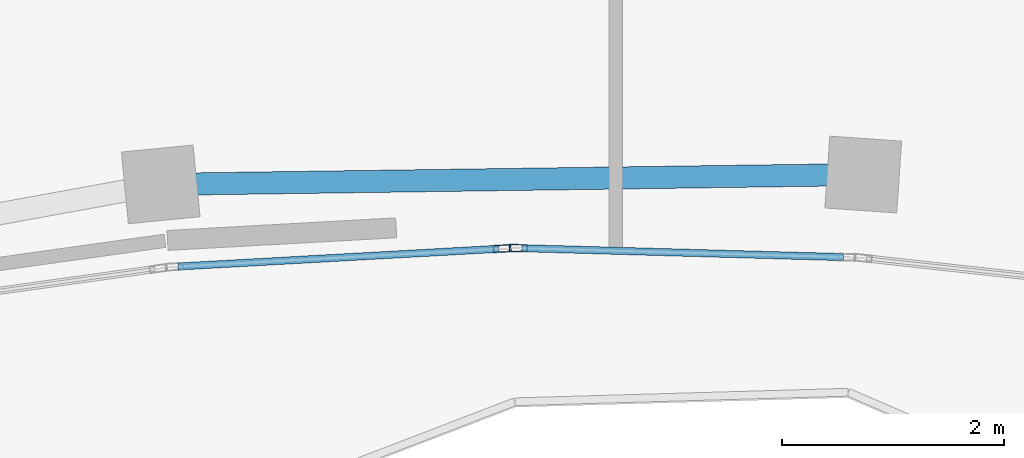
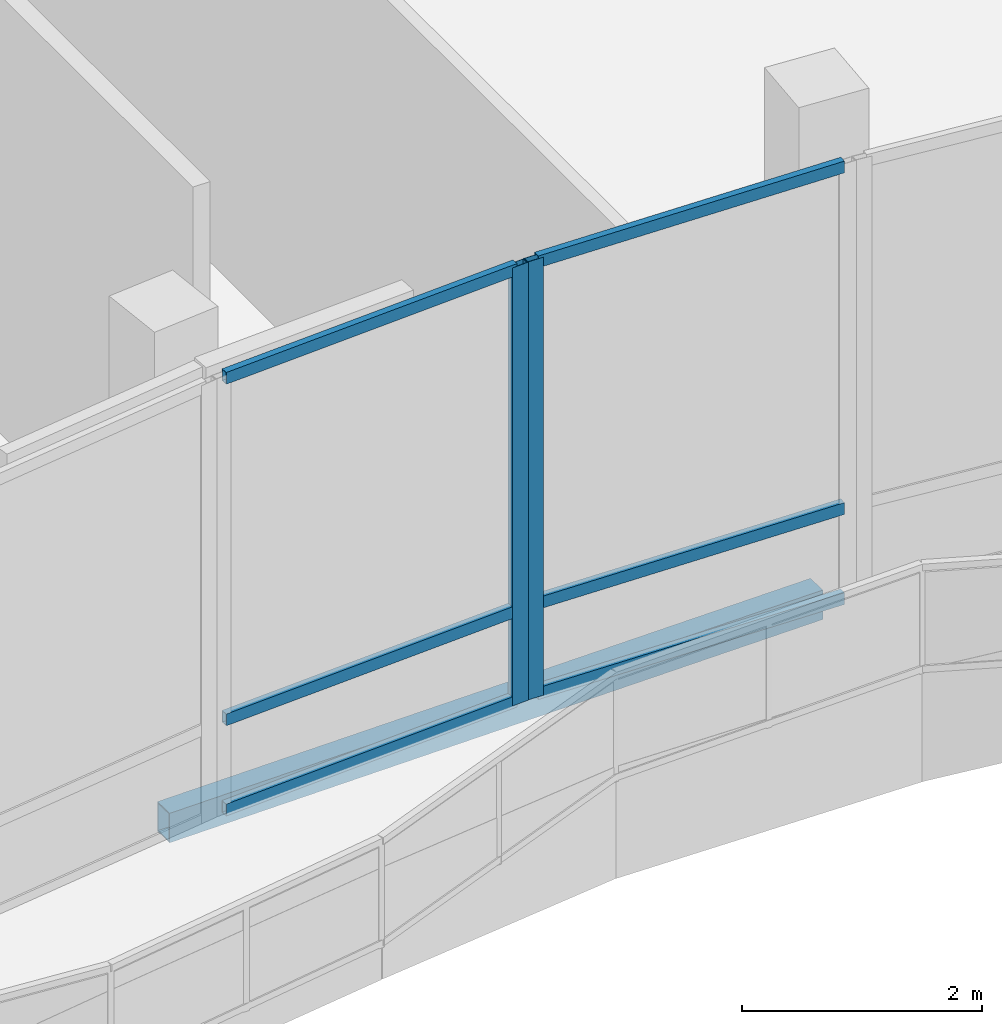
# One storey, part 55 of 155: 8 members, 1 beam, 2 elements without a shape of their own.
"""IFC4 building model written with IfcOpenShell, lengths in metres."""

from ifc_helpers import new_model, si_unit, direction, frame, origin, origin_2d, place, context, subcontext, project, spatial, hollow_rectangle, extrude, material, material_profile, profile_set, type_object, element, aggregate, save


model = new_model("IFC4")

# Units and contexts
model_context = context("Model", 3, precision=1e-05, world=origin(), true_north=direction((0.0, 1.0)))
body_context = subcontext(model_context, "Body", "Model", "MODEL_VIEW")
ifc_project = project(units=[si_unit("LENGTHUNIT", "METRE"), si_unit("AREAUNIT", "SQUARE_METRE"), si_unit("VOLUMEUNIT", "CUBIC_METRE"), si_unit("PLANEANGLEUNIT", "RADIAN"), si_unit("MASSUNIT", "GRAM", prefix="KILO")], contexts=[model_context])

# Site, building, storey
site_placement = place(None, origin())
site = spatial("IfcSite", under=ifc_project, at=site_placement, CompositionType="ELEMENT")
building_placement = place(site_placement, origin())
building = spatial("IfcBuilding", under=site, at=building_placement, Name="Selatvlak General Hospital", CompositionType="ELEMENT")
storey_placement = place(building_placement, frame((0.0, 0.0, 10.199951171875)))
storey = spatial("IfcBuildingStorey", under=building, at=storey_placement, Name="L02", CompositionType="ELEMENT", Elevation=10.199951171875)

# Beam
ifc_material_1 = material(Name="Steel S355", Category="steel")
ifc_material_profile_1 = material_profile(ifc_material_1, hollow_rectangle(XDim=0.199951171875, YDim=0.300048828125, WallThickness=0.011962890625, at=origin_2d()), Name="RHS 300x200x12")
ifc_profile_set_1 = profile_set([ifc_material_profile_1], Name="Steel S355")
beam_type = type_object("IfcBeamType", Name="BM-SP3", PredefinedType="SPANDREL", material=ifc_profile_set_1)
beam_placement = place(storey_placement, frame((136.2919921875, 54.570068359375, -0.5048828125), z_axis=(0.999901810608, 0.014013177494, 0.0), x_axis=(-0.014013177494, 0.999901810608, 0.0)))
element("IfcBeam", 1, at=beam_placement, inside=storey, type_object=beam_type, Name="Beam BMR-L02-1152", PredefinedType="SPANDREL", context=body_context, shape_type="SweptSolid", body=[
    extrude(hollow_rectangle(XDim=0.199951171875, YDim=0.300048828125, WallThickness=0.011962890625, at=origin_2d()), origin(), (0.0, 0.0, 1.0), 6.341796875),
])

# Curtain wall, member
ifc_material_2 = material(Name="Solar-control Low-E double glazing", Category="glass")
curtain_wall_type_1 = type_object("IfcCurtainWallType", Name="CW-CW-01", PredefinedType="USERDEFINED", material=ifc_material_2)
curtain_wall_1_placement = place(storey_placement, origin())
curtain_wall_1 = element("IfcCurtainWall", 2, at=curtain_wall_1_placement, inside=storey, type_object=curtain_wall_type_1, Name="Glazed facade curtain wall CW-L02-0283", ObjectType="UNITISED CURTAIN WALL", PredefinedType="USERDEFINED")
ifc_material_3 = material(Name="Dark anodised aluminium mullion", Category="aluminium")
ifc_material_profile_2 = material_profile(ifc_material_3, hollow_rectangle(XDim=0.06494140625, YDim=0.159912109375, WallThickness=0.00390625, at=origin_2d()), Name="AL-MUL 65x160x4")
ifc_profile_set_2 = profile_set([ifc_material_profile_2], Name="Dark anodised aluminium mullion")
member_type_1 = type_object("IfcMemberType", Name="CWM-01", PredefinedType="MULLION", material=ifc_profile_set_2)
member_1_placement = place(storey_placement, frame((139.5185546875, 53.9951171875, 0.0), z_axis=(0.0, 0.0, 1.0), x_axis=(-0.027693859483, -0.999616451519, 0.0)))
member_1 = element("IfcMember", 3, at=member_1_placement, type_object=member_type_1, Name="CW-01 mullion 2", PredefinedType="MULLION", context=body_context, shape_type="SweptSolid", body=[
    extrude(hollow_rectangle(XDim=0.06494140625, YDim=0.159912109375, WallThickness=0.00390625, at=origin_2d()), origin(), (0.0, 0.0, 1.0), 4.4599609375),
])

curtain_wall_type_2 = type_object("IfcCurtainWallType", Name="CW-CW-02", PredefinedType="USERDEFINED", material=ifc_material_2)
curtain_wall_2_placement = place(storey_placement, origin())
curtain_wall_2 = element("IfcCurtainWall", 4, at=curtain_wall_2_placement, inside=storey, type_object=curtain_wall_type_2, Name="Glazed facade curtain wall CW-L02-0284", ObjectType="UNITISED CURTAIN WALL", PredefinedType="USERDEFINED")
member_2_placement = place(storey_placement, frame((139.37353515625, 53.990234375, 0.0), z_axis=(0.0, 0.0, 1.0), x_axis=(0.055159032792, -0.998477581672, 0.0)))
member_2 = element("IfcMember", 5, at=member_2_placement, type_object=member_type_1, Name="CW-02 mullion 1", PredefinedType="MULLION", context=body_context, shape_type="SweptSolid", body=[
    extrude(hollow_rectangle(XDim=0.06494140625, YDim=0.159912109375, WallThickness=0.00390625, at=origin_2d()), origin(), (0.0, 0.0, 1.0), 4.4599609375),
])

# Member
ifc_material_profile_3 = material_profile(ifc_material_3, hollow_rectangle(XDim=0.06494140625, YDim=0.1201171875, WallThickness=0.00390625, at=origin_2d()), Name="AL-TRN 65x120x4")
ifc_profile_set_3 = profile_set([ifc_material_profile_3], Name="Dark anodised aluminium mullion")
member_type_2 = type_object("IfcMemberType", Name="CWT-01", PredefinedType="USERDEFINED", material=ifc_profile_set_3)
member_3_placement = place(storey_placement, frame((142.453125, 53.913818359375, 0.032470703125), z_axis=(-0.999617203596, 0.027666699755, 0.0), x_axis=(-0.027666699755, -0.999617203596, 0.0)))
member_3 = element("IfcMember", 6, at=member_3_placement, type_object=member_type_2, Name="CW-01 transom 1.1", ObjectType="TRANSOM", PredefinedType="USERDEFINED", context=body_context, shape_type="SweptSolid", body=[
    extrude(hollow_rectangle(XDim=0.06494140625, YDim=0.1201171875, WallThickness=0.00390625, at=origin_2d()), origin(), (0.0, 0.0, 1.0), 2.9033203125),
])

member_4_placement = place(storey_placement, frame((142.453125, 53.913818359375, 0.949951171875), z_axis=(-0.999617203596, 0.027666699755, 0.0), x_axis=(-0.027666699755, -0.999617203596, 0.0)))
member_4 = element("IfcMember", 7, at=member_4_placement, type_object=member_type_2, Name="CW-01 transom 1.2", ObjectType="TRANSOM", PredefinedType="USERDEFINED", context=body_context, shape_type="SweptSolid", body=[
    extrude(hollow_rectangle(XDim=0.06494140625, YDim=0.1201171875, WallThickness=0.00390625, at=origin_2d()), origin(), (0.0, 0.0, 1.0), 2.9033203125),
])

member_5_placement = place(storey_placement, frame((142.453125, 53.913818359375, 4.427490234375), z_axis=(-0.999617203596, 0.027666699755, 0.0), x_axis=(-0.027666699755, -0.999617203596, 0.0)))
member_5 = element("IfcMember", 8, at=member_5_placement, type_object=member_type_2, Name="CW-01 transom 1.3", ObjectType="TRANSOM", PredefinedType="USERDEFINED", context=body_context, shape_type="SweptSolid", body=[
    extrude(hollow_rectangle(XDim=0.06494140625, YDim=0.1201171875, WallThickness=0.00390625, at=origin_2d()), origin(), (0.0, 0.0, 1.0), 2.9033203125),
])

aggregate(curtain_wall_1, [member_1, member_3, member_4, member_5])

member_6_placement = place(storey_placement, frame((139.341064453125, 53.988525390625, 0.032470703125), z_axis=(-0.998475869557, -0.055190016419, 0.0), x_axis=(0.055190016419, -0.998475869557, 0.0)))
member_6 = element("IfcMember", 9, at=member_6_placement, type_object=member_type_2, Name="CW-02 transom 1.1", ObjectType="TRANSOM", PredefinedType="USERDEFINED", context=body_context, shape_type="SweptSolid", body=[
    extrude(hollow_rectangle(XDim=0.06494140625, YDim=0.1201171875, WallThickness=0.00390625, at=origin_2d()), origin(), (0.0, 0.0, 1.0), 2.8974609375),
])

member_7_placement = place(storey_placement, frame((139.341064453125, 53.988525390625, 0.949951171875), z_axis=(-0.998475869557, -0.055190016419, 0.0), x_axis=(0.055190016419, -0.998475869557, 0.0)))
member_7 = element("IfcMember", 10, at=member_7_placement, type_object=member_type_2, Name="CW-02 transom 1.2", ObjectType="TRANSOM", PredefinedType="USERDEFINED", context=body_context, shape_type="SweptSolid", body=[
    extrude(hollow_rectangle(XDim=0.06494140625, YDim=0.1201171875, WallThickness=0.00390625, at=origin_2d()), origin(), (0.0, 0.0, 1.0), 2.8974609375),
])

member_8_placement = place(storey_placement, frame((139.341064453125, 53.988525390625, 4.427490234375), z_axis=(-0.998475869557, -0.055190016419, 0.0), x_axis=(0.055190016419, -0.998475869557, 0.0)))
member_8 = element("IfcMember", 11, at=member_8_placement, type_object=member_type_2, Name="CW-02 transom 1.3", ObjectType="TRANSOM", PredefinedType="USERDEFINED", context=body_context, shape_type="SweptSolid", body=[
    extrude(hollow_rectangle(XDim=0.06494140625, YDim=0.1201171875, WallThickness=0.00390625, at=origin_2d()), origin(), (0.0, 0.0, 1.0), 2.8974609375),
])

aggregate(curtain_wall_2, [member_2, member_6, member_7, member_8])

save(model, "model.ifc")
